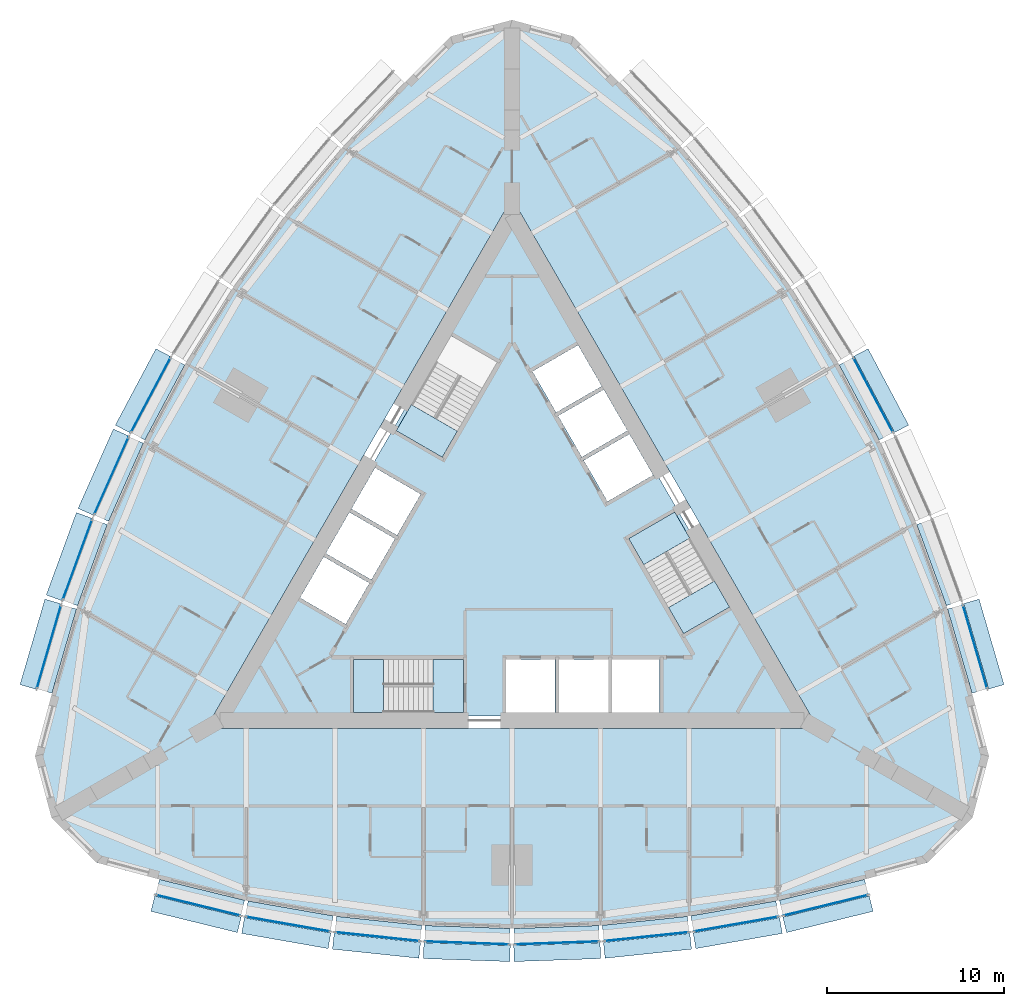
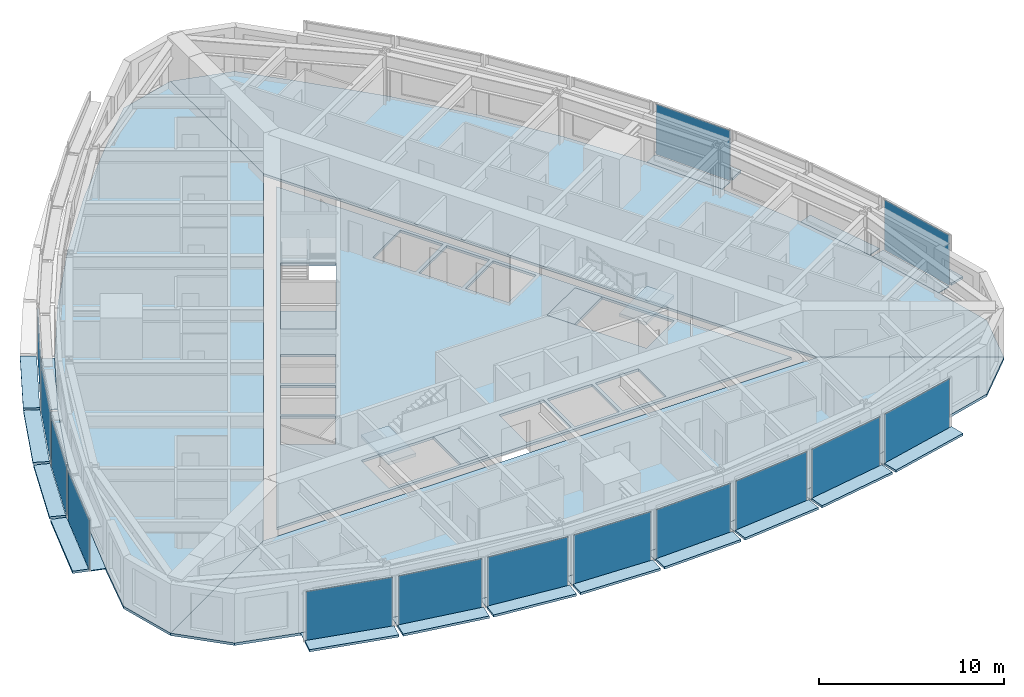
# One storey, part 6 of 14: 43 plates, 9 slabs, 17 elements without a shape of their own.
"""IFC4 building model written with IfcOpenShell, lengths in metres."""

from ifc_helpers import new_model, si_unit, direction, frame, origin, origin_2d, place, context, subcontext, project, spatial, polyline, rectangle, outline, extrude, material, layer, layer_set, type_object, element, aggregate, save


model = new_model("IFC4")

# Units and contexts
model_context = context("Model", 3, precision=1e-05, world=origin(), true_north=direction((0.0, 1.0)))
body_context = subcontext(model_context, "Body", "Model", "MODEL_VIEW")
ifc_project = project(units=[si_unit("LENGTHUNIT", "METRE"), si_unit("AREAUNIT", "SQUARE_METRE"), si_unit("VOLUMEUNIT", "CUBIC_METRE"), si_unit("PLANEANGLEUNIT", "RADIAN"), si_unit("MASSUNIT", "GRAM", prefix="KILO")], contexts=[model_context])

# Site, building, storey
site_placement = place(None, origin())
site = spatial("IfcSite", under=ifc_project, at=site_placement, CompositionType="ELEMENT")
building_placement = place(site_placement, origin())
building = spatial("IfcBuilding", under=site, at=building_placement, Name="Trikona Tower", CompositionType="ELEMENT")
storey_placement = place(building_placement, frame((0.0, 0.0, 128.300048828125)))
storey = spatial("IfcBuildingStorey", under=building, at=storey_placement, Name="L33", CompositionType="ELEMENT", Elevation=128.300048828125)

# Plates
ifc_material_1 = material(Name="Aluminium bar grating", Category="aluminium")
ifc_layer_1 = layer(ifc_material_1, 0.050048828125)
ifc_layer_set_1 = layer_set([ifc_layer_1], Name="Cavity catwalk grating")
plate_type_1 = type_object("IfcPlateType", Name="Cavity catwalk grating", PredefinedType="USERDEFINED", material=ifc_layer_set_1)
plate_1_placement = place(storey_placement, frame((-17.598876953125, -19.49072265625, -0.05029296875), z_axis=(0.0, 0.0, 1.0), x_axis=(0.971274411564, -0.237962218516, 0.0)))
element("IfcPlate", 1, at=plate_1_placement, inside=storey, type_object=plate_type_1, Name="Cavity catwalk L33-00", ObjectType="CATWALK GRATING", PredefinedType="USERDEFINED", context=body_context, shape_type="SweptSolid", body=[
    extrude(rectangle(XDim=4.947998046875, YDim=0.830078125, at=origin_2d()), origin(), (0.0, 0.0, 1.0), 0.050048828125),
])
plate_2_placement = place(storey_placement, frame((-12.571533203125, -20.54638671875, -0.05029296875), z_axis=(0.0, 0.0, 1.0), x_axis=(0.985030604067, -0.172379549401, 0.0)))
element("IfcPlate", 2, at=plate_2_placement, inside=storey, type_object=plate_type_1, Name="Cavity catwalk L33-01", ObjectType="CATWALK GRATING", PredefinedType="USERDEFINED", context=body_context, shape_type="SweptSolid", body=[
    extrude(rectangle(XDim=4.8759765625, YDim=0.830078125, at=origin_2d()), origin(), (0.0, 0.0, 1.0), 0.050048828125),
])
plate_3_placement = place(storey_placement, frame((-7.543212890625, -21.25048828125, -0.05029296875), z_axis=(0.0, 0.0, 1.0), x_axis=(0.994532653854, -0.104426052392, 0.0)))
element("IfcPlate", 3, at=plate_3_placement, inside=storey, type_object=plate_type_1, Name="Cavity catwalk L33-02", ObjectType="CATWALK GRATING", PredefinedType="USERDEFINED", context=body_context, shape_type="SweptSolid", body=[
    extrude(rectangle(XDim=4.827392578125, YDim=0.830078125, at=origin_2d()), origin(), (0.0, 0.0, 1.0), 0.050048828125),
])
for number, where, z_axis, x_axis, name in (
    (4, (-2.514404296875, -21.602294921875, -0.05029296875), (0.0, 0.0, 1.0), (0.999388082937, -0.034977988567, 0.0), "Cavity catwalk L33-03"),
    (5, (2.514404296875, -21.602294921875, -0.05029296875), (0.0, 0.0, 1.0), (0.999388082937, 0.034977988567, 0.0), "Cavity catwalk L33-04"),
):
    element("IfcPlate", number, at=place(storey_placement, frame(where, z_axis=z_axis, x_axis=x_axis)), inside=storey, type_object=plate_type_1, Name=name, ObjectType="CATWALK GRATING", PredefinedType="USERDEFINED", context=body_context, shape_type="SweptSolid", body=[
        extrude(rectangle(XDim=4.802978515625, YDim=0.830078125, at=origin_2d()), origin(), (0.0, 0.0, 1.0), 0.050048828125),
    ])
plate_4_placement = place(storey_placement, frame((7.543212890625, -21.25048828125, -0.05029296875), z_axis=(0.0, 0.0, 1.0), x_axis=(0.994532653854, 0.104426052392, 0.0)))
element("IfcPlate", 6, at=plate_4_placement, inside=storey, type_object=plate_type_1, Name="Cavity catwalk L33-05", ObjectType="CATWALK GRATING", PredefinedType="USERDEFINED", context=body_context, shape_type="SweptSolid", body=[
    extrude(rectangle(XDim=4.827392578125, YDim=0.830078125, at=origin_2d()), origin(), (0.0, 0.0, 1.0), 0.050048828125),
])
plate_5_placement = place(storey_placement, frame((12.571533203125, -20.54638671875, -0.05029296875), z_axis=(0.0, 0.0, 1.0), x_axis=(0.985030604067, 0.172379549401, 0.0)))
element("IfcPlate", 7, at=plate_5_placement, inside=storey, type_object=plate_type_1, Name="Cavity catwalk L33-06", ObjectType="CATWALK GRATING", PredefinedType="USERDEFINED", context=body_context, shape_type="SweptSolid", body=[
    extrude(rectangle(XDim=4.8759765625, YDim=0.830078125, at=origin_2d()), origin(), (0.0, 0.0, 1.0), 0.050048828125),
])
plate_6_placement = place(storey_placement, frame((17.598876953125, -19.49072265625, -0.05029296875), z_axis=(0.0, 0.0, 1.0), x_axis=(0.971274411564, 0.237962218516, 0.0)))
element("IfcPlate", 8, at=plate_6_placement, inside=storey, type_object=plate_type_1, Name="Cavity catwalk L33-07", ObjectType="CATWALK GRATING", PredefinedType="USERDEFINED", context=body_context, shape_type="SweptSolid", body=[
    extrude(rectangle(XDim=4.947998046875, YDim=0.830078125, at=origin_2d()), origin(), (0.0, 0.0, 1.0), 0.050048828125),
])
plate_7_placement = place(storey_placement, frame((25.678955078125, -5.49560546875, -0.05029296875), z_axis=(0.0, 0.0, 1.0), x_axis=(-0.279554203664, 0.960129911634, 0.0)))
element("IfcPlate", 9, at=plate_7_placement, inside=storey, type_object=plate_type_1, Name="Cavity catwalk L33-12", ObjectType="CATWALK GRATING", PredefinedType="USERDEFINED", context=body_context, shape_type="SweptSolid", body=[
    extrude(rectangle(XDim=4.94775390625, YDim=0.830078125, at=origin_2d()), origin(), (0.0, 0.0, 1.0), 0.050048828125),
])
plate_8_placement = place(storey_placement, frame((24.07958984375, -0.614013671875, -0.05029296875), z_axis=(0.0, 0.0, 1.0), x_axis=(-0.343220397324, 0.939254895575, 0.0)))
element("IfcPlate", 10, at=plate_8_placement, inside=storey, type_object=plate_type_1, Name="Cavity catwalk L33-13", ObjectType="CATWALK GRATING", PredefinedType="USERDEFINED", context=body_context, shape_type="SweptSolid", body=[
    extrude(rectangle(XDim=4.8759765625, YDim=0.830078125, at=origin_2d()), origin(), (0.0, 0.0, 1.0), 0.050048828125),
])
for number, where, z_axis, x_axis, name in (
    (11, (19.965576171875, 8.62353515625, -0.05029296875), (0.0, 0.0, 1.0), (-0.469397591494, 0.882986920118, 0.0), "Cavity catwalk L33-15"),
    (12, (-19.965576171875, 8.62353515625, -0.05029296875), (0.0, 0.0, 1.0), (-0.469397591494, -0.882986920118, 0.0), "Cavity catwalk L33-28"),
):
    element("IfcPlate", number, at=place(storey_placement, frame(where, z_axis=z_axis, x_axis=x_axis)), inside=storey, type_object=plate_type_1, Name=name, ObjectType="CATWALK GRATING", PredefinedType="USERDEFINED", context=body_context, shape_type="SweptSolid", body=[
        extrude(rectangle(XDim=4.802978515625, YDim=0.830078125, at=origin_2d()), origin(), (0.0, 0.0, 1.0), 0.050048828125),
    ])
plate_9_placement = place(storey_placement, frame((-22.175048828125, 4.092529296875, -0.05029296875), z_axis=(0.0, 0.0, 1.0), x_axis=(-0.406843467615, -0.913497888809, 0.0)))
element("IfcPlate", 13, at=plate_9_placement, inside=storey, type_object=plate_type_1, Name="Cavity catwalk L33-29", ObjectType="CATWALK GRATING", PredefinedType="USERDEFINED", context=body_context, shape_type="SweptSolid", body=[
    extrude(rectangle(XDim=4.827392578125, YDim=0.830078125, at=origin_2d()), origin(), (0.0, 0.0, 1.0), 0.050048828125),
])
plate_10_placement = place(storey_placement, frame((-24.07958984375, -0.614013671875, -0.05029296875), z_axis=(0.0, 0.0, 1.0), x_axis=(-0.343220397324, -0.939254895575, 0.0)))
element("IfcPlate", 14, at=plate_10_placement, inside=storey, type_object=plate_type_1, Name="Cavity catwalk L33-30", ObjectType="CATWALK GRATING", PredefinedType="USERDEFINED", context=body_context, shape_type="SweptSolid", body=[
    extrude(rectangle(XDim=4.8759765625, YDim=0.830078125, at=origin_2d()), origin(), (0.0, 0.0, 1.0), 0.050048828125),
])
plate_11_placement = place(storey_placement, frame((-25.678955078125, -5.49560546875, -0.05029296875), z_axis=(0.0, 0.0, 1.0), x_axis=(-0.279554203664, -0.960129911634, 0.0)))
element("IfcPlate", 15, at=plate_11_placement, inside=storey, type_object=plate_type_1, Name="Cavity catwalk L33-31", ObjectType="CATWALK GRATING", PredefinedType="USERDEFINED", context=body_context, shape_type="SweptSolid", body=[
    extrude(rectangle(XDim=4.94775390625, YDim=0.830078125, at=origin_2d()), origin(), (0.0, 0.0, 1.0), 0.050048828125),
])

# Slabs
ifc_material_2 = material(Name="Concrete f'c 5000 psi lightweight on composite steel deck", Category="concrete")
ifc_layer_2 = layer(ifc_material_2, 0.1650390625)
ifc_layer_set_2 = layer_set([ifc_layer_2], Name="Composite floor slab 165")
slab_type_1 = type_object("IfcSlabType", Name="Composite floor slab 165", PredefinedType="FLOOR", material=ifc_layer_set_2)
slab_1_placement = place(storey_placement, frame((0.0, 0.0, -0.1650390625)))
element("IfcSlab", 16, at=slab_1_placement, inside=storey, type_object=slab_type_1, Name="Floor slab L33 core", PredefinedType="FLOOR", context=body_context, shape_type="SweptSolid", body=[
    extrude(outline(polyline([(-16.06689453125, -9.2763671875), (16.06689453125, -9.2763671875), (0.0, 18.552490234375), (-16.06689453125, -9.2763671875)]), holes=[polyline([(12.285400390625, -3.126220703125), (9.185302734375, 2.2431640625), (6.587158203125, 0.7431640625), (9.687255859375, -4.626220703125), (12.285400390625, -3.126220703125)]), polyline([(8.340087890625, -9.06640625), (8.340087890625, -6.086181640625), (5.659912109375, -6.086181640625), (5.659912109375, -9.06640625), (8.340087890625, -9.06640625)]), polyline([(5.390869140625, 2.835205078125), (7.9716796875, 4.3251953125), (6.631591796875, 6.646240234375), (4.05078125, 5.15625), (5.390869140625, 2.835205078125)]), polyline([(2.600830078125, 7.667724609375), (3.94091796875, 5.3466796875), (6.521484375, 6.8369140625), (5.181640625, 9.15771484375), (2.600830078125, 7.667724609375)]), polyline([(5.43994140625, -6.086181640625), (2.659912109375, -6.086181640625), (2.659912109375, -9.06640625), (5.43994140625, -9.06640625), (5.43994140625, -6.086181640625)]), polyline([(3.731689453125, 11.669189453125), (1.15087890625, 10.17919921875), (2.490966796875, 7.858154296875), (5.071533203125, 9.34814453125), (3.731689453125, 11.669189453125)]), polyline([(-0.340087890625, -6.086181640625), (-0.340087890625, -9.06640625), (2.43994140625, -9.06640625), (2.43994140625, -6.086181640625), (-0.340087890625, -6.086181640625)]), polyline([(-3.435302734375, 12.202392578125), (-6.535400390625, 6.8330078125), (-3.937255859375, 5.3330078125), (-0.837158203125, 10.702392578125), (-3.435302734375, 12.202392578125)]), polyline([(-8.949951171875, -9.076416015625), (-2.75, -9.076416015625), (-2.75, -6.076416015625), (-8.949951171875, -6.076416015625), (-8.949951171875, -9.076416015625)]), polyline([(-5.15087890625, 3.2509765625), (-7.731689453125, 4.740966796875), (-9.071533203125, 2.419921875), (-6.490966796875, 0.929931640625), (-5.15087890625, 3.2509765625)]), polyline([(-7.94091796875, -1.581298828125), (-6.600830078125, 0.739501953125), (-9.181640625, 2.2294921875), (-10.521484375, -0.09130859375), (-7.94091796875, -1.581298828125)]), polyline([(-11.9716796875, -2.602783203125), (-9.390869140625, -4.093017578125), (-8.05078125, -1.77197265625), (-10.631591796875, -0.281982421875), (-11.9716796875, -2.602783203125)])]), origin(), (0.0, 0.0, 1.0), 0.1650390625),
])
slab_2_placement = place(storey_placement, frame((0.0, 0.0, -0.1650390625)))
element("IfcSlab", 17, at=slab_2_placement, inside=storey, type_object=slab_type_1, Name="Floor slab L33 south", PredefinedType="FLOOR", context=body_context, shape_type="SweptSolid", body=[
    extrude(outline(polyline([(23.464111328125, -17.547119140625), (26.0, -15.010986328125), (17.279296875, -9.976318359375), (-17.279296875, -9.976318359375), (-26.0, -15.010986328125), (-23.464111328125, -17.547119140625), (-20.0, -18.47509765625), (-15.0, -19.7001953125), (-10.0, -20.5751953125), (-5.0, -21.10009765625), (0.0, -21.275146484375), (5.0, -21.10009765625), (10.0, -20.5751953125), (15.0, -19.7001953125), (20.0, -18.47509765625), (23.464111328125, -17.547119140625)])), origin(), (0.0, 0.0, 1.0), 0.1650390625),
])
slab_3_placement = place(storey_placement, frame((0.0, 0.0, -0.1650390625)))
element("IfcSlab", 18, at=slab_3_placement, inside=storey, type_object=slab_type_1, Name="Floor slab L33 north-east", PredefinedType="FLOOR", context=body_context, shape_type="SweptSolid", body=[
    extrude(outline(polyline([(3.464111328125, 29.093994140625), (0.0, 30.022216796875), (0.0, 19.95263671875), (17.279296875, -9.976318359375), (26.0, -15.010986328125), (26.92822265625, -11.547119140625), (26.0, -8.0830078125), (24.560791015625, -3.140380859375), (22.818603515625, 1.62744140625), (20.773193359375, 6.219970703125), (18.4248046875, 10.6376953125), (15.773193359375, 14.880126953125), (12.818603515625, 18.947998046875), (9.560791015625, 22.840576171875), (6.0, 26.55810546875), (3.464111328125, 29.093994140625)])), origin(), (0.0, 0.0, 1.0), 0.1650390625),
])
slab_4_placement = place(storey_placement, frame((0.0, 0.0, -0.1650390625)))
element("IfcSlab", 19, at=slab_4_placement, inside=storey, type_object=slab_type_1, Name="Floor slab L33 north-west", PredefinedType="FLOOR", context=body_context, shape_type="SweptSolid", body=[
    extrude(outline(polyline([(0.0, 19.95263671875), (0.0, 30.022216796875), (-3.464111328125, 29.093994140625), (-6.0, 26.55810546875), (-9.560791015625, 22.840576171875), (-12.818603515625, 18.947998046875), (-15.773193359375, 14.880126953125), (-18.4248046875, 10.6376953125), (-20.773193359375, 6.219970703125), (-22.818603515625, 1.62744140625), (-24.560791015625, -3.140380859375), (-26.0, -8.0830078125), (-26.92822265625, -11.547119140625), (-26.0, -15.010986328125), (-17.279296875, -9.976318359375), (0.0, 19.95263671875)])), origin(), (0.0, 0.0, 1.0), 0.1650390625),
])

# Curtain wall, plate
ifc_material_3 = material(Name="Aluminium curtain wall system", Category="aluminium")
curtain_wall_type = type_object("IfcCurtainWallType", Name="Curtain wall DS2", PredefinedType="NOTDEFINED", material=ifc_material_3)
curtain_wall_1_placement = place(storey_placement, origin())
curtain_wall_1 = element("IfcCurtainWall", 20, at=curtain_wall_1_placement, inside=storey, type_object=curtain_wall_type, Name="Curtain wall DS2 L33", PredefinedType="NOTDEFINED")
ifc_material_4 = material(Name="Laminated clear glass", Category="glass")
ifc_layer_3 = layer(ifc_material_4, 0.028076171875)
ifc_layer_set_3 = layer_set([ifc_layer_3], Name="Glass panel DS2")
plate_type_2 = type_object("IfcPlateType", Name="Glass panel DS2", PredefinedType="CURTAIN_PANEL", material=ifc_layer_set_3)
plate_12_placement = place(storey_placement, frame((-17.714111328125, -19.9619140625, 0.0), z_axis=(0.0, 0.0, 1.0), x_axis=(0.971272455026, -0.237970204243, 0.0)))
plate_12 = element("IfcPlate", 21, at=plate_12_placement, type_object=plate_type_2, Name="CW-DS2 panel 1.1", PredefinedType="CURTAIN_PANEL", context=body_context, shape_type="SweptSolid", body=[
    extrude(rectangle(XDim=4.867919921875, YDim=0.028076171875, at=origin_2d()), origin(), (0.0, 0.0, 1.0), 3.320068359375),
])
aggregate(curtain_wall_1, [plate_12])

curtain_wall_2_placement = place(storey_placement, origin())
curtain_wall_2 = element("IfcCurtainWall", 22, at=curtain_wall_2_placement, inside=storey, type_object=curtain_wall_type, Name="Curtain wall DS2 L33", PredefinedType="NOTDEFINED")
plate_13_placement = place(storey_placement, frame((-12.655029296875, -21.024169921875, 0.0), z_axis=(0.0, 0.0, 1.0), x_axis=(0.985030981074, -0.17237739505, 0.0)))
plate_13 = element("IfcPlate", 23, at=plate_13_placement, type_object=plate_type_2, Name="CW-DS2 panel 1.1", PredefinedType="CURTAIN_PANEL", context=body_context, shape_type="SweptSolid", body=[
    extrude(rectangle(XDim=4.7958984375, YDim=0.028076171875, at=origin_2d()), origin(), (0.0, 0.0, 1.0), 3.320068359375),
])
aggregate(curtain_wall_2, [plate_13])

curtain_wall_3_placement = place(storey_placement, origin())
curtain_wall_3 = element("IfcCurtainWall", 24, at=curtain_wall_3_placement, inside=storey, type_object=curtain_wall_type, Name="Curtain wall DS2 L33", PredefinedType="NOTDEFINED")
plate_14_placement = place(storey_placement, frame((-7.593994140625, -21.732666015625, 0.0), z_axis=(0.0, 0.0, 1.0), x_axis=(0.994531883654, -0.104433387357, 0.0)))
plate_14 = element("IfcPlate", 25, at=plate_14_placement, type_object=plate_type_2, Name="CW-DS2 panel 1.1", PredefinedType="CURTAIN_PANEL", context=body_context, shape_type="SweptSolid", body=[
    extrude(rectangle(XDim=4.747314453125, YDim=0.028076171875, at=origin_2d()), origin(), (0.0, 0.0, 1.0), 3.320068359375),
])
aggregate(curtain_wall_3, [plate_14])

curtain_wall_4_placement = place(storey_placement, origin())
curtain_wall_4 = element("IfcCurtainWall", 26, at=curtain_wall_4_placement, inside=storey, type_object=curtain_wall_type, Name="Curtain wall DS2 L33", PredefinedType="NOTDEFINED")
plate_15_placement = place(storey_placement, frame((-2.531494140625, -22.087158203125, 0.0), z_axis=(0.0, 0.0, 1.0), x_axis=(0.99938737114, -0.034998320052, 0.0)))
plate_15 = element("IfcPlate", 27, at=plate_15_placement, type_object=plate_type_2, Name="CW-DS2 panel 1.1", PredefinedType="CURTAIN_PANEL", context=body_context, shape_type="SweptSolid", body=[
    extrude(rectangle(XDim=4.72314453125, YDim=0.028076171875, at=origin_2d()), origin(), (0.0, 0.0, 1.0), 3.320068359375),
])
aggregate(curtain_wall_4, [plate_15])

curtain_wall_5_placement = place(storey_placement, origin())
curtain_wall_5 = element("IfcCurtainWall", 28, at=curtain_wall_5_placement, inside=storey, type_object=curtain_wall_type, Name="Curtain wall DS2 L33", PredefinedType="NOTDEFINED")
plate_16_placement = place(storey_placement, frame((2.531494140625, -22.087158203125, 0.0), z_axis=(0.0, 0.0, 1.0), x_axis=(0.99938737114, 0.034998320052, 0.0)))
plate_16 = element("IfcPlate", 29, at=plate_16_placement, type_object=plate_type_2, Name="CW-DS2 panel 1.1", PredefinedType="CURTAIN_PANEL", context=body_context, shape_type="SweptSolid", body=[
    extrude(rectangle(XDim=4.72314453125, YDim=0.028076171875, at=origin_2d()), origin(), (0.0, 0.0, 1.0), 3.320068359375),
])
aggregate(curtain_wall_5, [plate_16])

curtain_wall_6_placement = place(storey_placement, origin())
curtain_wall_6 = element("IfcCurtainWall", 30, at=curtain_wall_6_placement, inside=storey, type_object=curtain_wall_type, Name="Curtain wall DS2 L33", PredefinedType="NOTDEFINED")
plate_17_placement = place(storey_placement, frame((7.593994140625, -21.732666015625, 0.0), z_axis=(0.0, 0.0, 1.0), x_axis=(0.994531883654, 0.104433387357, 0.0)))
plate_17 = element("IfcPlate", 31, at=plate_17_placement, type_object=plate_type_2, Name="CW-DS2 panel 1.1", PredefinedType="CURTAIN_PANEL", context=body_context, shape_type="SweptSolid", body=[
    extrude(rectangle(XDim=4.747314453125, YDim=0.028076171875, at=origin_2d()), origin(), (0.0, 0.0, 1.0), 3.320068359375),
])
aggregate(curtain_wall_6, [plate_17])

curtain_wall_7_placement = place(storey_placement, origin())
curtain_wall_7 = element("IfcCurtainWall", 32, at=curtain_wall_7_placement, inside=storey, type_object=curtain_wall_type, Name="Curtain wall DS2 L33", PredefinedType="NOTDEFINED")
plate_18_placement = place(storey_placement, frame((12.655029296875, -21.024169921875, 0.0), z_axis=(0.0, 0.0, 1.0), x_axis=(0.985030981074, 0.17237739505, 0.0)))
plate_18 = element("IfcPlate", 33, at=plate_18_placement, type_object=plate_type_2, Name="CW-DS2 panel 1.1", PredefinedType="CURTAIN_PANEL", context=body_context, shape_type="SweptSolid", body=[
    extrude(rectangle(XDim=4.7958984375, YDim=0.028076171875, at=origin_2d()), origin(), (0.0, 0.0, 1.0), 3.320068359375),
])
aggregate(curtain_wall_7, [plate_18])

curtain_wall_8_placement = place(storey_placement, origin())
curtain_wall_8 = element("IfcCurtainWall", 34, at=curtain_wall_8_placement, inside=storey, type_object=curtain_wall_type, Name="Curtain wall DS2 L33", PredefinedType="NOTDEFINED")
plate_19_placement = place(storey_placement, frame((17.714111328125, -19.9619140625, 0.0), z_axis=(0.0, 0.0, 1.0), x_axis=(0.971272455026, 0.237970204243, 0.0)))
plate_19 = element("IfcPlate", 35, at=plate_19_placement, type_object=plate_type_2, Name="CW-DS2 panel 1.1", PredefinedType="CURTAIN_PANEL", context=body_context, shape_type="SweptSolid", body=[
    extrude(rectangle(XDim=4.867919921875, YDim=0.028076171875, at=origin_2d()), origin(), (0.0, 0.0, 1.0), 3.320068359375),
])
aggregate(curtain_wall_8, [plate_19])

curtain_wall_9_placement = place(storey_placement, origin())
curtain_wall_9 = element("IfcCurtainWall", 36, at=curtain_wall_9_placement, inside=storey, type_object=curtain_wall_type, Name="Curtain wall DS2 L33", PredefinedType="NOTDEFINED")
plate_20_placement = place(storey_placement, frame((26.14453125, -5.360107421875, 0.0), z_axis=(0.0, 0.0, 1.0), x_axis=(-0.279543247757, 0.96013310152, 0.0)))
plate_20 = element("IfcPlate", 37, at=plate_20_placement, type_object=plate_type_2, Name="CW-DS2 panel 1.1", PredefinedType="CURTAIN_PANEL", context=body_context, shape_type="SweptSolid", body=[
    extrude(rectangle(XDim=4.867919921875, YDim=0.028076171875, at=origin_2d()), origin(), (0.0, 0.0, 1.0), 3.320068359375),
])
aggregate(curtain_wall_9, [plate_20])

curtain_wall_10_placement = place(storey_placement, origin())
curtain_wall_10 = element("IfcCurtainWall", 38, at=curtain_wall_10_placement, inside=storey, type_object=curtain_wall_type, Name="Curtain wall DS2 L33", PredefinedType="NOTDEFINED")
plate_21_placement = place(storey_placement, frame((20.393798828125, 8.851318359375, 0.0), z_axis=(0.0, 0.0, 1.0), x_axis=(-0.469380308937, 0.882996107343, 0.0)))
plate_21 = element("IfcPlate", 39, at=plate_21_placement, type_object=plate_type_2, Name="CW-DS2 panel 1.1", PredefinedType="CURTAIN_PANEL", context=body_context, shape_type="SweptSolid", body=[
    extrude(rectangle(XDim=4.72314453125, YDim=0.028076171875, at=origin_2d()), origin(), (0.0, 0.0, 1.0), 3.320068359375),
])
aggregate(curtain_wall_10, [plate_21])

curtain_wall_11_placement = place(storey_placement, origin())
curtain_wall_11 = element("IfcCurtainWall", 40, at=curtain_wall_11_placement, inside=storey, type_object=curtain_wall_type, Name="Curtain wall DS2 L33", PredefinedType="NOTDEFINED")
plate_22_placement = place(storey_placement, frame((-20.393798828125, 8.851318359375, 0.0), z_axis=(0.0, 0.0, 1.0), x_axis=(-0.469380308937, -0.882996107343, 0.0)))
plate_22 = element("IfcPlate", 41, at=plate_22_placement, type_object=plate_type_2, Name="CW-DS2 panel 1.1", PredefinedType="CURTAIN_PANEL", context=body_context, shape_type="SweptSolid", body=[
    extrude(rectangle(XDim=4.72314453125, YDim=0.028076171875, at=origin_2d()), origin(), (0.0, 0.0, 1.0), 3.320068359375),
])
aggregate(curtain_wall_11, [plate_22])

curtain_wall_12_placement = place(storey_placement, origin())
curtain_wall_12 = element("IfcCurtainWall", 42, at=curtain_wall_12_placement, inside=storey, type_object=curtain_wall_type, Name="Curtain wall DS2 L33", PredefinedType="NOTDEFINED")
plate_23_placement = place(storey_placement, frame((-22.6181640625, 4.289794921875, 0.0), z_axis=(0.0, 0.0, 1.0), x_axis=(-0.406836013132, -0.913501208767, 0.0)))
plate_23 = element("IfcPlate", 43, at=plate_23_placement, type_object=plate_type_2, Name="CW-DS2 panel 1.1", PredefinedType="CURTAIN_PANEL", context=body_context, shape_type="SweptSolid", body=[
    extrude(rectangle(XDim=4.747314453125, YDim=0.028076171875, at=origin_2d()), origin(), (0.0, 0.0, 1.0), 3.320068359375),
])
aggregate(curtain_wall_12, [plate_23])

curtain_wall_13_placement = place(storey_placement, origin())
curtain_wall_13 = element("IfcCurtainWall", 44, at=curtain_wall_13_placement, inside=storey, type_object=curtain_wall_type, Name="Curtain wall DS2 L33", PredefinedType="NOTDEFINED")
plate_24_placement = place(storey_placement, frame((-24.53515625, -0.447509765625, 0.0), z_axis=(0.0, 0.0, 1.0), x_axis=(-0.343223420143, -0.939253790978, 0.0)))
plate_24 = element("IfcPlate", 45, at=plate_24_placement, type_object=plate_type_2, Name="CW-DS2 panel 1.1", PredefinedType="CURTAIN_PANEL", context=body_context, shape_type="SweptSolid", body=[
    extrude(rectangle(XDim=4.7958984375, YDim=0.028076171875, at=origin_2d()), origin(), (0.0, 0.0, 1.0), 3.320068359375),
])
aggregate(curtain_wall_13, [plate_24])

curtain_wall_14_placement = place(storey_placement, origin())
curtain_wall_14 = element("IfcCurtainWall", 46, at=curtain_wall_14_placement, inside=storey, type_object=curtain_wall_type, Name="Curtain wall DS2 L33", PredefinedType="NOTDEFINED")
plate_25_placement = place(storey_placement, frame((-26.14453125, -5.360107421875, 0.0), z_axis=(0.0, 0.0, 1.0), x_axis=(-0.279543247757, -0.96013310152, 0.0)))
plate_25 = element("IfcPlate", 47, at=plate_25_placement, type_object=plate_type_2, Name="CW-DS2 panel 1.1", PredefinedType="CURTAIN_PANEL", context=body_context, shape_type="SweptSolid", body=[
    extrude(rectangle(XDim=4.867919921875, YDim=0.028076171875, at=origin_2d()), origin(), (0.0, 0.0, 1.0), 3.320068359375),
])
aggregate(curtain_wall_14, [plate_25])

# Plates
ifc_material_5 = material(Name="Aluminium plate fin, pale anodised, on stainless steel outriggers", Category="steel")
ifc_layer_4 = layer(ifc_material_5, 0.14990234375)
ifc_layer_set_4 = layer_set([ifc_layer_4], Name="Outer skin fin 900")
plate_type_3 = type_object("IfcPlateType", Name="Outer skin fin 900", PredefinedType="USERDEFINED", material=ifc_layer_set_4)
plate_26_placement = place(storey_placement, frame((-17.837890625, -20.466796875, 0.0), z_axis=(0.0, 0.0, 1.0), x_axis=(0.971274411564, -0.237962218516, 0.0)))
element("IfcPlate", 48, at=plate_26_placement, inside=storey, type_object=plate_type_3, Name="Outer skin fin L33-00", ObjectType="FIN", PredefinedType="USERDEFINED", context=body_context, shape_type="SweptSolid", body=[
    extrude(rectangle(XDim=5.02783203125, YDim=0.89990234375, at=origin_2d()), origin(), (0.0, 0.0, 1.0), 0.14990234375),
])
plate_27_placement = place(storey_placement, frame((-12.744873046875, -21.536376953125, 0.0), z_axis=(0.0, 0.0, 1.0), x_axis=(0.985030604067, -0.172379549401, 0.0)))
element("IfcPlate", 49, at=plate_27_placement, inside=storey, type_object=plate_type_3, Name="Outer skin fin L33-01", ObjectType="FIN", PredefinedType="USERDEFINED", context=body_context, shape_type="SweptSolid", body=[
    extrude(rectangle(XDim=4.9560546875, YDim=0.89990234375, at=origin_2d()), origin(), (0.0, 0.0, 1.0), 0.14990234375),
])
plate_28_placement = place(storey_placement, frame((-7.648193359375, -22.25, 0.0), z_axis=(0.0, 0.0, 1.0), x_axis=(0.994532653854, -0.104426052392, 0.0)))
element("IfcPlate", 50, at=plate_28_placement, inside=storey, type_object=plate_type_3, Name="Outer skin fin L33-02", ObjectType="FIN", PredefinedType="USERDEFINED", context=body_context, shape_type="SweptSolid", body=[
    extrude(rectangle(XDim=4.907470703125, YDim=0.89990234375, at=origin_2d()), origin(), (0.0, 0.0, 1.0), 0.14990234375),
])
for number, where, z_axis, x_axis, name in (
    (51, (-2.5498046875, -22.606689453125, 0.0), (0.0, 0.0, 1.0), (0.999388082937, -0.034977988567, 0.0), "Outer skin fin L33-03"),
    (52, (2.5498046875, -22.606689453125, 0.0), (0.0, 0.0, 1.0), (0.999388082937, 0.034977988567, 0.0), "Outer skin fin L33-04"),
):
    element("IfcPlate", number, at=place(storey_placement, frame(where, z_axis=z_axis, x_axis=x_axis)), inside=storey, type_object=plate_type_3, Name=name, ObjectType="FIN", PredefinedType="USERDEFINED", context=body_context, shape_type="SweptSolid", body=[
        extrude(rectangle(XDim=4.883056640625, YDim=0.89990234375, at=origin_2d()), origin(), (0.0, 0.0, 1.0), 0.14990234375),
    ])
plate_29_placement = place(storey_placement, frame((7.648193359375, -22.25, 0.0), z_axis=(0.0, 0.0, 1.0), x_axis=(0.994532653854, 0.104426052392, 0.0)))
element("IfcPlate", 53, at=plate_29_placement, inside=storey, type_object=plate_type_3, Name="Outer skin fin L33-05", ObjectType="FIN", PredefinedType="USERDEFINED", context=body_context, shape_type="SweptSolid", body=[
    extrude(rectangle(XDim=4.907470703125, YDim=0.89990234375, at=origin_2d()), origin(), (0.0, 0.0, 1.0), 0.14990234375),
])
plate_30_placement = place(storey_placement, frame((12.744873046875, -21.536376953125, 0.0), z_axis=(0.0, 0.0, 1.0), x_axis=(0.985030604067, 0.172379549401, 0.0)))
element("IfcPlate", 54, at=plate_30_placement, inside=storey, type_object=plate_type_3, Name="Outer skin fin L33-06", ObjectType="FIN", PredefinedType="USERDEFINED", context=body_context, shape_type="SweptSolid", body=[
    extrude(rectangle(XDim=4.9560546875, YDim=0.89990234375, at=origin_2d()), origin(), (0.0, 0.0, 1.0), 0.14990234375),
])
for number, where, z_axis, x_axis, name in (
    (55, (17.837890625, -20.466796875, 0.0), (0.0, 0.0, 1.0), (0.971274411564, 0.237962218516, 0.0), "Outer skin fin L33-07"),
    (56, (26.643798828125, -5.214599609375, 0.0), (0.0, 0.0, 1.0), (-0.279554203664, 0.960129911634, 0.0), "Outer skin fin L33-12"),
):
    element("IfcPlate", number, at=place(storey_placement, frame(where, z_axis=z_axis, x_axis=x_axis)), inside=storey, type_object=plate_type_3, Name=name, ObjectType="FIN", PredefinedType="USERDEFINED", context=body_context, shape_type="SweptSolid", body=[
        extrude(rectangle(XDim=5.02783203125, YDim=0.89990234375, at=origin_2d()), origin(), (0.0, 0.0, 1.0), 0.14990234375),
    ])
for number, where, z_axis, x_axis, name in (
    (57, (20.852783203125, 9.09521484375, 0.0), (0.0, 0.0, 1.0), (-0.469397591494, 0.882986920118, 0.0), "Outer skin fin L33-15"),
    (58, (-20.852783203125, 9.09521484375, 0.0), (0.0, 0.0, 1.0), (-0.469397591494, -0.882986920118, 0.0), "Outer skin fin L33-28"),
):
    element("IfcPlate", number, at=place(storey_placement, frame(where, z_axis=z_axis, x_axis=x_axis)), inside=storey, type_object=plate_type_3, Name=name, ObjectType="FIN", PredefinedType="USERDEFINED", context=body_context, shape_type="SweptSolid", body=[
        extrude(rectangle(XDim=4.883056640625, YDim=0.89990234375, at=origin_2d()), origin(), (0.0, 0.0, 1.0), 0.14990234375),
    ])
plate_31_placement = place(storey_placement, frame((-23.09326171875, 4.50146484375, 0.0), z_axis=(0.0, 0.0, 1.0), x_axis=(-0.406843467615, -0.913497888809, 0.0)))
element("IfcPlate", 59, at=plate_31_placement, inside=storey, type_object=plate_type_3, Name="Outer skin fin L33-29", ObjectType="FIN", PredefinedType="USERDEFINED", context=body_context, shape_type="SweptSolid", body=[
    extrude(rectangle(XDim=4.907470703125, YDim=0.89990234375, at=origin_2d()), origin(), (0.0, 0.0, 1.0), 0.14990234375),
])
plate_32_placement = place(storey_placement, frame((-25.0234375, -0.26904296875, 0.0), z_axis=(0.0, 0.0, 1.0), x_axis=(-0.343220397324, -0.939254895575, 0.0)))
element("IfcPlate", 60, at=plate_32_placement, inside=storey, type_object=plate_type_3, Name="Outer skin fin L33-30", ObjectType="FIN", PredefinedType="USERDEFINED", context=body_context, shape_type="SweptSolid", body=[
    extrude(rectangle(XDim=4.9560546875, YDim=0.89990234375, at=origin_2d()), origin(), (0.0, 0.0, 1.0), 0.14990234375),
])
plate_33_placement = place(storey_placement, frame((-26.643798828125, -5.214599609375, 0.0), z_axis=(0.0, 0.0, 1.0), x_axis=(-0.279554203664, -0.960129911634, 0.0)))
element("IfcPlate", 61, at=plate_33_placement, inside=storey, type_object=plate_type_3, Name="Outer skin fin L33-31", ObjectType="FIN", PredefinedType="USERDEFINED", context=body_context, shape_type="SweptSolid", body=[
    extrude(rectangle(XDim=5.02783203125, YDim=0.89990234375, at=origin_2d()), origin(), (0.0, 0.0, 1.0), 0.14990234375),
])

# Stair, slabs
ifc_material_6 = material(Name="Concrete f'c 5000 psi", Category="concrete")
stair_type = type_object("IfcStairType", Name="Core stair", PredefinedType="HALF_TURN_STAIR", material=ifc_material_6)
stair_1_placement = place(storey_placement, origin())
stair_1 = element("IfcStair", 62, at=stair_1_placement, inside=storey, type_object=stair_type, Name="Stair A L33", PredefinedType="HALF_TURN_STAIR")
ifc_material_7 = material(Name="Concrete f'c 5000 psi", Category="concrete")
ifc_layer_5 = layer(ifc_material_7, 0.199951171875)
ifc_layer_set_5 = layer_set([ifc_layer_5], Name="Stair landing 200")
slab_type_2 = type_object("IfcSlabType", Name="Stair landing 200", PredefinedType="LANDING", material=ifc_layer_set_5)
slab_5_placement = place(storey_placement, frame((0.0, 0.0, -0.199951171875)))
slab_5 = element("IfcSlab", 63, at=slab_5_placement, type_object=slab_type_2, Name="ST-A landing 1", PredefinedType="LANDING", context=body_context, shape_type="SweptSolid", body=[
    extrude(outline(polyline([(-4.452880859375, -6.076416015625), (-2.75, -6.076416015625), (-2.75, -9.076416015625), (-4.452880859375, -9.076416015625), (-4.452880859375, -6.076416015625)])), origin(), (0.0, 0.0, 1.0), 0.199951171875),
])
slab_6_placement = place(storey_placement, frame((0.0, 0.0, 1.5)))
slab_6 = element("IfcSlab", 64, at=slab_6_placement, type_object=slab_type_2, Name="ST-A landing 2", PredefinedType="LANDING", context=body_context, shape_type="SweptSolid", body=[
    extrude(outline(polyline([(-8.949951171875, -6.076416015625), (-7.2470703125, -6.076416015625), (-7.2470703125, -9.076416015625), (-8.949951171875, -9.076416015625), (-8.949951171875, -6.076416015625)])), origin(), (0.0, 0.0, 1.0), 0.199951171875),
])
aggregate(stair_1, [slab_5, slab_6])

stair_2_placement = place(storey_placement, origin())
stair_2 = element("IfcStair", 65, at=stair_2_placement, inside=storey, type_object=stair_type, Name="Stair B L33", PredefinedType="HALF_TURN_STAIR")
slab_7_placement = place(storey_placement, frame((0.0, 0.0, -0.199951171875)))
slab_7 = element("IfcSlab", 66, at=slab_7_placement, type_object=slab_type_2, Name="ST-B landing 1", PredefinedType="LANDING", context=body_context, shape_type="SweptSolid", body=[
    extrude(outline(polyline([(7.438720703125, -0.731689453125), (6.587158203125, 0.7431640625), (9.185302734375, 2.2431640625), (10.036865234375, 0.768310546875), (7.438720703125, -0.731689453125)])), origin(), (0.0, 0.0, 1.0), 0.199951171875),
])
slab_8_placement = place(storey_placement, frame((0.0, 0.0, 1.5)))
slab_8 = element("IfcSlab", 67, at=slab_8_placement, type_object=slab_type_2, Name="ST-B landing 2", PredefinedType="LANDING", context=body_context, shape_type="SweptSolid", body=[
    extrude(outline(polyline([(9.687255859375, -4.626220703125), (8.835693359375, -3.1513671875), (11.433837890625, -1.6513671875), (12.285400390625, -3.126220703125), (9.687255859375, -4.626220703125)])), origin(), (0.0, 0.0, 1.0), 0.199951171875),
])
aggregate(stair_2, [slab_7, slab_8])

# Stair, slab
stair_3_placement = place(storey_placement, origin())
stair_3 = element("IfcStair", 68, at=stair_3_placement, inside=storey, type_object=stair_type, Name="Stair C L33", PredefinedType="HALF_TURN_STAIR")
slab_9_placement = place(storey_placement, frame((0.0, 0.0, -0.199951171875)))
slab_9 = element("IfcSlab", 69, at=slab_9_placement, type_object=slab_type_2, Name="ST-C landing 1", PredefinedType="LANDING", context=body_context, shape_type="SweptSolid", body=[
    extrude(outline(polyline([(-3.085693359375, 6.807861328125), (-3.937255859375, 5.3330078125), (-6.535400390625, 6.8330078125), (-5.683837890625, 8.307861328125), (-3.085693359375, 6.807861328125)])), origin(), (0.0, 0.0, 1.0), 0.199951171875),
])
aggregate(stair_3, [slab_9])

save(model, "model.ifc")
